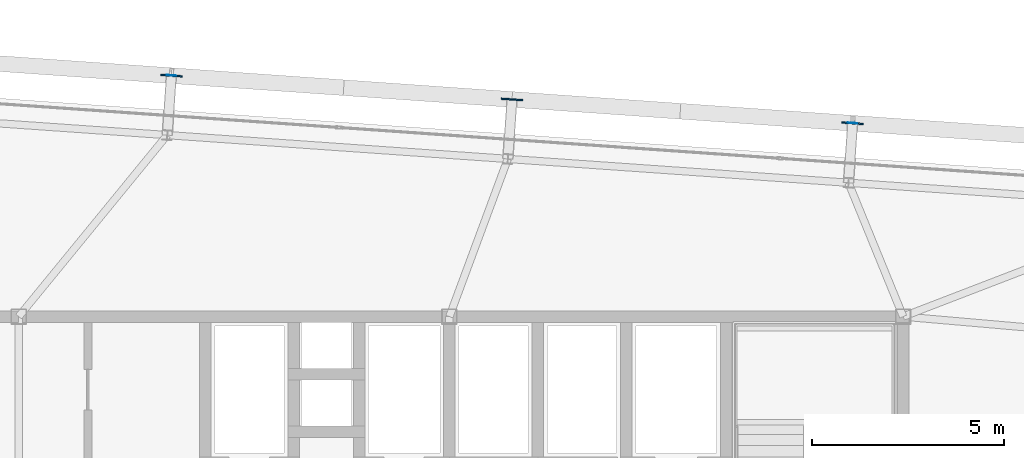
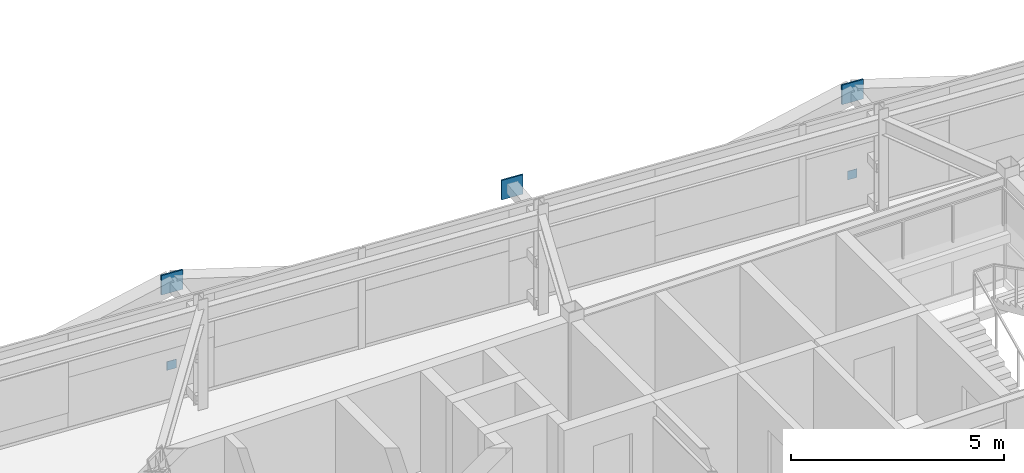
# One storey, part 33 of 39: 5 plates.
"""IFC4 building model written with IfcOpenShell, lengths in metres."""

import ifcopenshell
import ifcopenshell.guid

model = None  # the IFC model being written
_history = None  # IfcOwnerHistory: only IFC2X3 demands one
_inside = {}  # id of a spatial element -> (the spatial element, [elements in it])
_under = {}  # id of a project, library or spatial element -> (it, [spatial elements below it])
_declared = {}  # id of a project -> (the project, [libraries it declares])
_typed = {}  # id of a type object -> (the type object, [elements of that type])
_made_of = {}  # id of a material, layer set ... -> (it, [elements and type objects made of it])


def new_model(schema):
    """Start an empty IFC model of exactly this schema.

    Asked for "IFC4X3", IfcOpenShell would pick the latest addendum, in which some entities
    have other attributes; the version numbers below select the first issue.
    IFC2X3 requires an IfcOwnerHistory on every rooted entity: one is made here for all.
    """
    global model, _history
    if schema == "IFC4X3":
        model = ifcopenshell.file(schema_version=(4, 3, 0, 0))
    else:
        model = ifcopenshell.file(schema=schema)
    _inside.clear()
    _under.clear()
    _declared.clear()
    _typed.clear()
    _made_of.clear()
    _history = None
    if model.schema == "IFC2X3":
        org = make("IfcOrganization", Name="unknown")
        user = make(
            "IfcPersonAndOrganization",
            ThePerson=make("IfcPerson", FamilyName="unknown"),
            TheOrganization=org,
        )
        app = make(
            "IfcApplication",
            ApplicationDeveloper=org,
            Version="unknown",
            ApplicationFullName="unknown",
            ApplicationIdentifier="unknown",
        )
        _history = make(
            "IfcOwnerHistory",
            OwningUser=user,
            OwningApplication=app,
            ChangeAction="ADDED",
            CreationDate=0,
        )
    return model


def make(cls, **values):
    """One entity of the class cls with the attributes given. An attribute that is None is left unset."""
    return model.create_entity(
        cls, **{name: value for name, value in values.items() if value is not None}
    )


def rooted(cls, **values):
    """An entity with a GlobalId (a new one), such as an element, a storey or a relation."""
    return make(cls, GlobalId=ifcopenshell.guid.new(), OwnerHistory=_history, **values)


def si_unit(unit_type, name, prefix=None):
    """IfcSIUnit, for example si_unit("LENGTHUNIT", "METRE", prefix="MILLI")."""
    return make("IfcSIUnit", UnitType=unit_type, Prefix=prefix, Name=name)


def assignment(units):
    """IfcUnitAssignment: the units of a project."""
    return None if units is None else make("IfcUnitAssignment", Units=units)


def point(xyz):
    """IfcCartesianPoint."""
    return None if xyz is None else make("IfcCartesianPoint", Coordinates=xyz)


def direction(xyz):
    """IfcDirection."""
    return None if xyz is None else make("IfcDirection", DirectionRatios=xyz)


def frame(location, z_axis=None, x_axis=None):
    """IfcAxis2Placement3D, a coordinate frame: its origin and axes. An axis left out is left unset."""
    return make(
        "IfcAxis2Placement3D",
        Location=point(location),
        Axis=direction(z_axis),
        RefDirection=direction(x_axis),
    )


def frame_2d(location, x_axis=None):
    """IfcAxis2Placement2D, a coordinate frame in the plane: its origin and x axis."""
    return make(
        "IfcAxis2Placement2D", Location=point(location), RefDirection=direction(x_axis)
    )


def origin():
    """The frame at (0, 0, 0) with its axes left unset."""
    return frame((0.0, 0.0, 0.0))


def origin_2d():
    """The frame at (0, 0) in the plane with its x axis left unset."""
    return frame_2d((0.0, 0.0))


def place(relative_to, where):
    """IfcLocalPlacement: puts the frame where relative to a parent placement (None: the world)."""
    return make(
        "IfcLocalPlacement", PlacementRelTo=relative_to, RelativePlacement=where
    )


def context(
    kind, dimensions, precision=None, world=None, true_north=None, identifier=None
):
    """IfcGeometricRepresentationContext, for example the 3D "Model" context."""
    return make(
        "IfcGeometricRepresentationContext",
        ContextIdentifier=identifier,
        ContextType=kind,
        CoordinateSpaceDimension=dimensions,
        Precision=precision,
        WorldCoordinateSystem=world,
        TrueNorth=true_north,
    )


def subcontext(parent, identifier, kind, view, scale=None):
    """IfcGeometricRepresentationSubContext, for example "Body" below "Model"."""
    return make(
        "IfcGeometricRepresentationSubContext",
        ContextIdentifier=identifier,
        ContextType=kind,
        ParentContext=parent,
        TargetScale=scale,
        TargetView=view,
    )


def project(units=None, contexts=None):
    """IfcProject with its units and contexts."""
    return rooted(
        "IfcProject",
        Name="project",
        RepresentationContexts=contexts,
        UnitsInContext=assignment(units),
    )


def spatial(cls, under=None, at=None, **own):
    """A site, building, storey or space (cls), placed at a placement, below another one or the project."""
    s = rooted(cls, ObjectPlacement=at, **own)
    if under is not None:
        _under.setdefault(under.id(), (under, []))[1].append(s)
    return s


def profile(cls, at=None, kind="AREA", **sizes):
    """A parametric profile (cls). Its sizes go by their IFC names, for example OverallWidth=200.0."""
    return make(cls, ProfileType=kind, Position=at, **sizes)


def rectangle(**sizes):
    """IfcRectangleProfileDef."""
    return profile("IfcRectangleProfileDef", **sizes)


def extrude(swept, where, along, depth):
    """IfcExtrudedAreaSolid: the profile swept, set in the frame where, extruded along a direction by depth."""
    return make(
        "IfcExtrudedAreaSolid",
        SweptArea=swept,
        Position=where,
        ExtrudedDirection=direction(along),
        Depth=depth,
    )


def shape(context_of_items, identifier, shape_type, items):
    """IfcShapeRepresentation: the items that make up one representation, for example the "Body"."""
    return make(
        "IfcShapeRepresentation",
        ContextOfItems=context_of_items,
        RepresentationIdentifier=identifier,
        RepresentationType=shape_type,
        Items=items,
    )


def source(mapping_origin, context_of_items, identifier, shape_type, items):
    """IfcRepresentationMap: a shape defined once, which mapped items show again and again."""
    return make(
        "IfcRepresentationMap",
        MappingOrigin=mapping_origin,
        MappedRepresentation=shape(context_of_items, identifier, shape_type, items),
    )


def transform(
    local_origin,
    x_axis=None,
    y_axis=None,
    z_axis=None,
    scale=None,
    scale2=None,
    scale3=None,
    uniform=True,
):
    """IfcCartesianTransformationOperator3D, or its non-uniform kind. x_axis, y_axis, z_axis: its Axis1, 2, 3."""
    if uniform:
        return make(
            "IfcCartesianTransformationOperator3D",
            Axis1=direction(x_axis),
            Axis2=direction(y_axis),
            LocalOrigin=point(local_origin),
            Scale=scale,
            Axis3=direction(z_axis),
        )
    return make(
        "IfcCartesianTransformationOperator3DnonUniform",
        Axis1=direction(x_axis),
        Axis2=direction(y_axis),
        LocalOrigin=point(local_origin),
        Scale=scale,
        Axis3=direction(z_axis),
        Scale2=scale2,
        Scale3=scale3,
    )


def mapped(mapping_source, mapping_target):
    """IfcMappedItem: shows the shape of a source again, moved by a transform."""
    return make(
        "IfcMappedItem", MappingSource=mapping_source, MappingTarget=mapping_target
    )


def material(Name=None, Category=None):
    """IfcMaterial."""
    return make("IfcMaterial", Name=Name, Category=Category)


def layer(
    of_material, thickness, ventilated=None, Name=None, Category=None, Priority=None
):
    """IfcMaterialLayer: one layer of a wall or slab, of a material (None: an air gap)."""
    return make(
        "IfcMaterialLayer",
        Material=of_material,
        LayerThickness=thickness,
        IsVentilated=ventilated,
        Name=Name,
        Category=Category,
        Priority=Priority,
    )


def layer_set(layers, Name=None):
    """IfcMaterialLayerSet."""
    return make("IfcMaterialLayerSet", MaterialLayers=layers, LayerSetName=Name)


def made_of(thing, what):
    """Note that an element or type object is made of a material, layer set ...; save() writes the relation."""
    if what is not None:
        _made_of.setdefault(what.id(), (what, []))[1].append(thing)
    return thing


def type_object(cls, material=None, **own):
    """A type object (cls), such as IfcWallType, which elements share."""
    return made_of(rooted(cls, **own), material)


def element(
    cls,
    number,
    at=None,
    inside=None,
    cuts=None,
    type_object=None,
    material=None,
    context=None,
    identifier="Body",
    shape_type=None,
    held_by="IfcProductDefinitionShape",
    body=None,
    shapes=None,
    **own,
):
    """One element of the class cls, such as IfcWall. Its Tag is "e" and its number.

    at: its placement. inside: the storey or other place that contains it. cuts: it is an
    opening in that element (IfcRelVoidsElement). A single representation is given by context,
    identifier, shape_type and body (its items); several are given by shapes. held_by: the class
    of the entity that holds the representations. save() writes the other relations.
    """
    e = rooted(cls, Tag="e%d" % number, ObjectPlacement=at, **own)
    if body is not None:
        shapes = [shape(context, identifier, shape_type, body)]
    if shapes is not None:
        e.Representation = make(held_by, Representations=shapes)
    if inside is not None:
        _inside.setdefault(inside.id(), (inside, []))[1].append(e)
    if cuts is not None:
        rooted(
            "IfcRelVoidsElement", RelatingBuildingElement=cuts, RelatedOpeningElement=e
        )
    if type_object is not None:
        _typed.setdefault(type_object.id(), (type_object, []))[1].append(e)
    return made_of(e, material)


def aggregate(whole, parts):
    """IfcRelAggregates: a whole, such as a stair, and the parts it consists of."""
    return rooted("IfcRelAggregates", RelatingObject=whole, RelatedObjects=parts)


def save(model, path):
    """Write the relations noted so far, then the file.

    IfcRelAggregates (storeys below a building ...), IfcRelContainedInSpatialStructure (elements
    in a storey), IfcRelDefinesByType, IfcRelAssociatesMaterial and IfcRelDeclares: one each for
    every whole, place, type object, material and project.
    """
    for whole, parts in _under.values():
        aggregate(whole, parts)
    for where, things in _inside.values():
        rooted(
            "IfcRelContainedInSpatialStructure",
            RelatedElements=things,
            RelatingStructure=where,
        )
    for kind, things in _typed.values():
        rooted("IfcRelDefinesByType", RelatedObjects=things, RelatingType=kind)
    for what, things in _made_of.values():
        rooted("IfcRelAssociatesMaterial", RelatedObjects=things, RelatingMaterial=what)
    for by, libraries in _declared.values():
        rooted("IfcRelDeclares", RelatingContext=by, RelatedDefinitions=libraries)
    model.write(path)


model = new_model("IFC4")

# Units and contexts
model_context = context("Model", 3, precision=1e-05, world=origin(), true_north=direction((0.0, 1.0)))
body_context = subcontext(model_context, "Body", "Model", "MODEL_VIEW")
ifc_project = project(units=[si_unit("LENGTHUNIT", "METRE"), si_unit("AREAUNIT", "SQUARE_METRE"), si_unit("VOLUMEUNIT", "CUBIC_METRE"), si_unit("PLANEANGLEUNIT", "RADIAN"), si_unit("MASSUNIT", "GRAM", prefix="KILO")], contexts=[model_context])

# Site, building, storey
site_placement = place(None, origin())
site = spatial("IfcSite", under=ifc_project, at=site_placement, CompositionType="ELEMENT")
building_placement = place(site_placement, origin())
building = spatial("IfcBuilding", under=site, at=building_placement, Name="Taldren Reach Tower", CompositionType="ELEMENT")
storey_placement = place(building_placement, frame((0.0, 0.0, 161.35009765625)))
storey = spatial("IfcBuildingStorey", under=building, at=storey_placement, Name="L49", CompositionType="ELEMENT", Elevation=161.35009765625)

# Plates
ifc_material_1 = material(Name="Steel Gr 450 (C450L0)", Category="steel")
ifc_layer_1 = layer(ifc_material_1, 0.0400390625)
ifc_layer_set_1 = layer_set([ifc_layer_1], Name="Steel Gr 450 (C450L0)")
plate_type_1 = type_object("IfcPlateType", Name="PL-GUSSET-40", PredefinedType="SHEET", material=ifc_layer_set_1)
shared_shape_1 = source(origin(), body_context, "Body", "SweptSolid", [
    extrude(rectangle(XDim=0.56005859375, YDim=0.0400390625, at=origin_2d()), origin(), (0.0, 0.0, 1.0), 0.56005859375),
])
for number, where, z_axis, x_axis, name in (
    (1, (31.969482421875, 38.26611328125, 2.309814453125), (0.0, 0.0, 1.0), (0.99756405026, -0.069756473744, 0.0), "Exoskeleton star-node gusset plate B3-N3 L49"),
    (2, (40.827880859375, 37.646728515625, 2.309814453125), (0.0, 0.0, 1.0), (0.99756405026, -0.069756473744, 0.0), "Exoskeleton star-node gusset plate B3-N4 L49"),
    (3, (49.686279296875, 37.02734375, 2.309814453125), (0.0, 0.0, 1.0), (0.99756405026, -0.069756473744, 0.0), "Exoskeleton star-node gusset plate B3-N5 L49"),
):
    element("IfcPlate", number, at=place(storey_placement, frame(where, z_axis=z_axis, x_axis=x_axis)), inside=storey, type_object=plate_type_1, Name=name, PredefinedType="SHEET", context=body_context, shape_type="MappedRepresentation", body=[
        mapped(shared_shape_1, transform((0.0, 0.0, 0.0), scale=1.0)),
    ])
ifc_material_2 = material(Name="Steel Gr 350 (C350L0)", Category="steel")
ifc_layer_2 = layer(ifc_material_2, 0.011962890625)
ifc_layer_set_2 = layer_set([ifc_layer_2], Name="Steel Gr 350 (C350L0)")
plate_type_2 = type_object("IfcPlateType", Name="PL-CAP-250", PredefinedType="SHEET", material=ifc_layer_set_2)
shared_shape_2 = source(origin(), body_context, "Body", "SweptSolid", [
    extrude(rectangle(XDim=0.25, YDim=0.011962890625, at=origin_2d()), origin(), (0.0, 0.0, 1.0), 0.25),
])
for number, where, z_axis, x_axis, name in (
    (4, (31.969970703125, 38.272216796875, 0.094970703125), (0.0, 0.0, 1.0), (0.99756405026, -0.069756473744, 0.0), "Tie strut end cap plate B3-N3 L49"),
    (5, (49.6865234375, 37.033203125, 0.094970703125), (0.0, 0.0, 1.0), (0.99756405026, -0.069756473744, 0.0), "Tie strut end cap plate B3-N5 L49"),
):
    element("IfcPlate", number, at=place(storey_placement, frame(where, z_axis=z_axis, x_axis=x_axis)), inside=storey, type_object=plate_type_2, Name=name, PredefinedType="SHEET", context=body_context, shape_type="MappedRepresentation", body=[
        mapped(shared_shape_2, transform((0.0, 0.0, 0.0), scale=1.0)),
    ])

save(model, "model.ifc")
